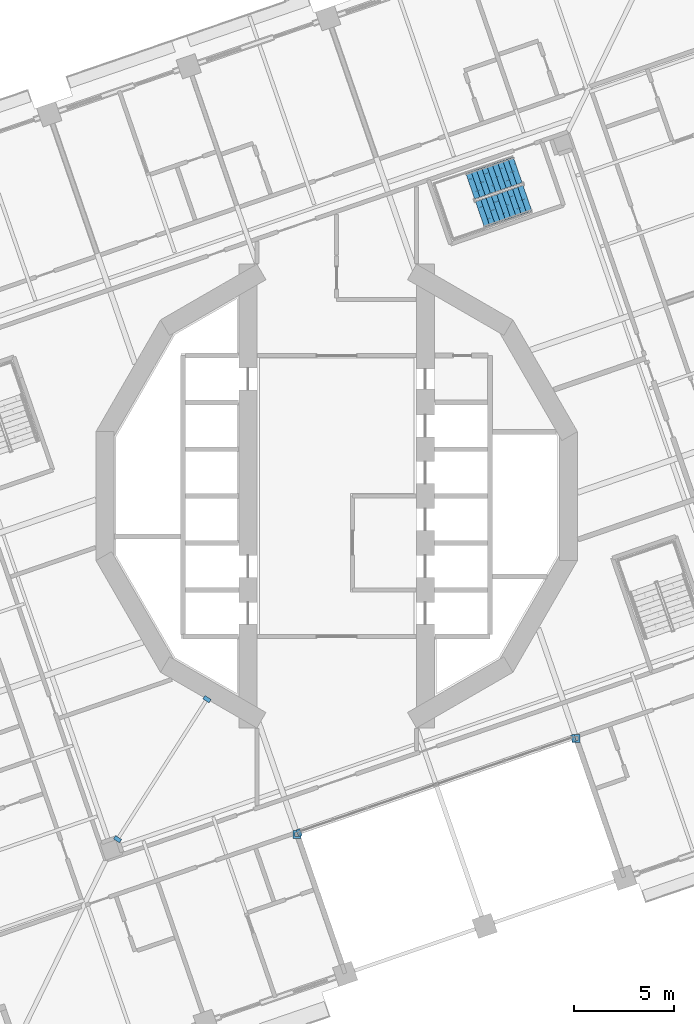
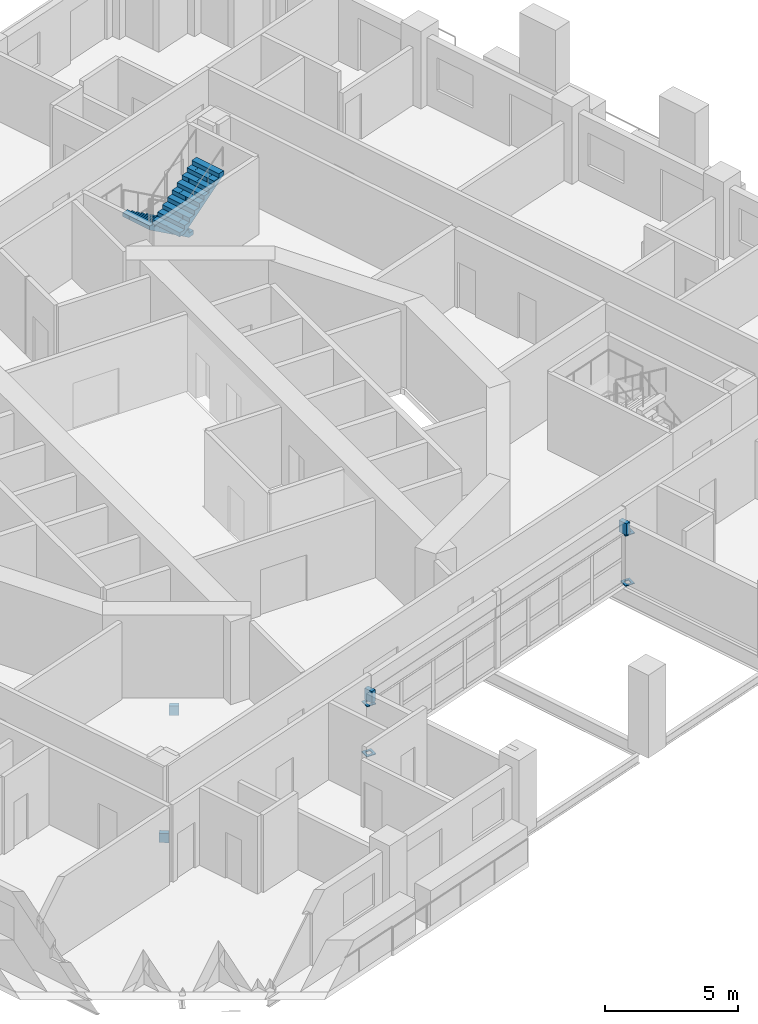
# One storey, part 15 of 22: 8 discrete accessories, 2 stair flights, 1 element without a shape of its own.
"""IFC4 building model written with IfcOpenShell, lengths in metres."""

from ifc_helpers import new_model, si_unit, direction, frame, origin, place, context, subcontext, project, spatial, polyline, outline, extrude, material, layer, layer_set, type_object, element, aggregate, save


model = new_model("IFC4")

# Units and contexts
model_context = context("Model", 3, precision=1e-05, world=origin(), true_north=direction((0.0, 1.0)))
body_context = subcontext(model_context, "Body", "Model", "MODEL_VIEW")
ifc_project = project(units=[si_unit("LENGTHUNIT", "METRE"), si_unit("AREAUNIT", "SQUARE_METRE"), si_unit("VOLUMEUNIT", "CUBIC_METRE"), si_unit("PLANEANGLEUNIT", "RADIAN"), si_unit("MASSUNIT", "GRAM", prefix="KILO")], contexts=[model_context])

# Site, building, storey
site_placement = place(None, origin())
site = spatial("IfcSite", under=ifc_project, at=site_placement, CompositionType="ELEMENT")
building_placement = place(site_placement, origin())
building = spatial("IfcBuilding", under=site, at=building_placement, Name="Cantera Rosa Tower", CompositionType="ELEMENT")
storey_placement = place(building_placement, frame((0.0, 0.0, 104.10009765625)))
storey = spatial("IfcBuildingStorey", under=building, at=storey_placement, Name="L20", CompositionType="ELEMENT", Elevation=104.10009765625)

# Stair, stair flights
ifc_material_1 = material(Name="Concrete C35/45", Category="concrete")
stair_type = type_object("IfcStairType", Name="EXIT STAIR 1350 DOGLEG", PredefinedType="HALF_TURN_STAIR", material=ifc_material_1)
stair_placement = place(storey_placement, origin())
stair = element("IfcStair", 1, at=stair_placement, inside=storey, type_object=stair_type, Name="L20 ST-21", PredefinedType="HALF_TURN_STAIR")
ifc_material_2 = material(Name="Concrete C35/45", Category="concrete")
stair_flight_type = type_object("IfcStairFlightType", Name="STAIR FLIGHT 1350 R20x190", PredefinedType="STRAIGHT", material=ifc_material_2)
stair_flight_1_placement = place(storey_placement, frame((9.07958984375, 16.364990234375, 0.0), z_axis=(0.0, 0.0, 1.0), x_axis=(-0.945518575599, -0.325568154457, 0.0)))
stair_flight_1 = element("IfcStairFlight", 2, at=stair_flight_1_placement, type_object=stair_flight_type, Name="ST-21 flight 1", NumberOfRisers=10, NumberOfTreads=9, PredefinedType="STRAIGHT", RiserHeight=0.19, TreadLength=0.28, context=body_context, shape_type="SweptSolid", body=[
    extrude(outline(polyline([(0.0, 0.0), (0.0, 0.18994140625), (0.280029296875, 0.18994140625), (0.280029296875, 0.3798828125), (0.56005859375, 0.3798828125), (0.56005859375, 0.570068359375), (0.840087890625, 0.570068359375), (0.840087890625, 0.760009765625), (1.1201171875, 0.760009765625), (1.1201171875, 0.949951171875), (1.39990234375, 0.949951171875), (1.39990234375, 1.139892578125), (1.679931640625, 1.139892578125), (1.679931640625, 1.330078125), (1.9599609375, 1.330078125), (1.9599609375, 1.52001953125), (2.239990234375, 1.52001953125), (2.239990234375, 1.7099609375), (2.52001953125, 1.7099609375), (2.52001953125, 1.89990234375), (2.52001953125, 1.52880859375), (0.266845703125, 0.0), (0.0, 0.0)])), frame((0.0, 0.675048828125, 0.0), z_axis=(0.0, -1.0, 0.0), x_axis=(1.0, 0.0, 0.0)), (0.0, 0.0, 1.0), 0.3359375),
    extrude(outline(polyline([(0.0, 0.0), (0.0, 0.18994140625), (0.280029296875, 0.18994140625), (0.280029296875, 0.3798828125), (0.56005859375, 0.3798828125), (0.56005859375, 0.570068359375), (0.840087890625, 0.570068359375), (0.840087890625, 0.760009765625), (1.1201171875, 0.760009765625), (1.1201171875, 0.949951171875), (1.39990234375, 0.949951171875), (1.39990234375, 1.139892578125), (1.679931640625, 1.139892578125), (1.679931640625, 1.330078125), (1.9599609375, 1.330078125), (1.9599609375, 1.52001953125), (2.239990234375, 1.52001953125), (2.239990234375, 1.7099609375), (2.52001953125, 1.7099609375), (2.52001953125, 1.89990234375), (2.52001953125, 1.52880859375), (0.266845703125, 0.0), (0.0, 0.0)])), frame((0.0, 0.337158203125, 0.0), z_axis=(0.0, -1.0, 0.0), x_axis=(1.0, 0.0, 0.0)), (0.0, 0.0, 1.0), 0.3359375),
    extrude(outline(polyline([(0.0, 0.0), (0.0, 0.18994140625), (0.280029296875, 0.18994140625), (0.280029296875, 0.3798828125), (0.56005859375, 0.3798828125), (0.56005859375, 0.570068359375), (0.840087890625, 0.570068359375), (0.840087890625, 0.760009765625), (1.1201171875, 0.760009765625), (1.1201171875, 0.949951171875), (1.39990234375, 0.949951171875), (1.39990234375, 1.139892578125), (1.679931640625, 1.139892578125), (1.679931640625, 1.330078125), (1.9599609375, 1.330078125), (1.9599609375, 1.52001953125), (2.239990234375, 1.52001953125), (2.239990234375, 1.7099609375), (2.52001953125, 1.7099609375), (2.52001953125, 1.89990234375), (2.52001953125, 1.52880859375), (0.266845703125, 0.0), (0.0, 0.0)])), frame((0.0, -0.000732421875, 0.0), z_axis=(0.0, -1.0, 0.0), x_axis=(1.0, 0.0, 0.0)), (0.0, 0.0, 1.0), 0.3359375),
    extrude(outline(polyline([(0.0, 0.0), (0.0, 0.18994140625), (0.280029296875, 0.18994140625), (0.280029296875, 0.3798828125), (0.56005859375, 0.3798828125), (0.56005859375, 0.570068359375), (0.840087890625, 0.570068359375), (0.840087890625, 0.760009765625), (1.1201171875, 0.760009765625), (1.1201171875, 0.949951171875), (1.39990234375, 0.949951171875), (1.39990234375, 1.139892578125), (1.679931640625, 1.139892578125), (1.679931640625, 1.330078125), (1.9599609375, 1.330078125), (1.9599609375, 1.52001953125), (2.239990234375, 1.52001953125), (2.239990234375, 1.7099609375), (2.52001953125, 1.7099609375), (2.52001953125, 1.89990234375), (2.52001953125, 1.52880859375), (0.266845703125, 0.0), (0.0, 0.0)])), frame((0.0, -0.338623046875, 0.0), z_axis=(0.0, -1.0, 0.0), x_axis=(1.0, 0.0, 0.0)), (0.0, 0.0, 1.0), 0.3359375),
])
stair_flight_2_placement = place(storey_placement, frame((7.185302734375, 14.126220703125, 1.89990234375), z_axis=(0.0, 0.0, 1.0), x_axis=(0.945518575599, 0.325568154457, 0.0)))
stair_flight_2 = element("IfcStairFlight", 3, at=stair_flight_2_placement, type_object=stair_flight_type, Name="ST-21 flight 2", NumberOfRisers=10, NumberOfTreads=9, PredefinedType="STRAIGHT", RiserHeight=0.19, TreadLength=0.28, context=body_context, shape_type="SweptSolid", body=[
    extrude(outline(polyline([(0.0, 0.0), (0.0, 0.18994140625), (0.280029296875, 0.18994140625), (0.280029296875, 0.3798828125), (0.56005859375, 0.3798828125), (0.56005859375, 0.570068359375), (0.840087890625, 0.570068359375), (0.840087890625, 0.760009765625), (1.1201171875, 0.760009765625), (1.1201171875, 0.949951171875), (1.39990234375, 0.949951171875), (1.39990234375, 1.139892578125), (1.679931640625, 1.139892578125), (1.679931640625, 1.330078125), (1.9599609375, 1.330078125), (1.9599609375, 1.52001953125), (2.239990234375, 1.52001953125), (2.239990234375, 1.7099609375), (2.52001953125, 1.7099609375), (2.52001953125, 1.89990234375), (2.52001953125, 1.52880859375), (0.266845703125, 0.0), (0.0, 0.0)])), frame((0.0, 0.675048828125, 0.0), z_axis=(0.0, -1.0, 0.0), x_axis=(1.0, 0.0, 0.0)), (0.0, 0.0, 1.0), 0.3359375),
    extrude(outline(polyline([(0.0, 0.0), (0.0, 0.18994140625), (0.280029296875, 0.18994140625), (0.280029296875, 0.3798828125), (0.56005859375, 0.3798828125), (0.56005859375, 0.570068359375), (0.840087890625, 0.570068359375), (0.840087890625, 0.760009765625), (1.1201171875, 0.760009765625), (1.1201171875, 0.949951171875), (1.39990234375, 0.949951171875), (1.39990234375, 1.139892578125), (1.679931640625, 1.139892578125), (1.679931640625, 1.330078125), (1.9599609375, 1.330078125), (1.9599609375, 1.52001953125), (2.239990234375, 1.52001953125), (2.239990234375, 1.7099609375), (2.52001953125, 1.7099609375), (2.52001953125, 1.89990234375), (2.52001953125, 1.52880859375), (0.266845703125, 0.0), (0.0, 0.0)])), frame((0.0, 0.337158203125, 0.0), z_axis=(0.0, -1.0, 0.0), x_axis=(1.0, 0.0, 0.0)), (0.0, 0.0, 1.0), 0.3359375),
    extrude(outline(polyline([(0.0, 0.0), (0.0, 0.18994140625), (0.280029296875, 0.18994140625), (0.280029296875, 0.3798828125), (0.56005859375, 0.3798828125), (0.56005859375, 0.570068359375), (0.840087890625, 0.570068359375), (0.840087890625, 0.760009765625), (1.1201171875, 0.760009765625), (1.1201171875, 0.949951171875), (1.39990234375, 0.949951171875), (1.39990234375, 1.139892578125), (1.679931640625, 1.139892578125), (1.679931640625, 1.330078125), (1.9599609375, 1.330078125), (1.9599609375, 1.52001953125), (2.239990234375, 1.52001953125), (2.239990234375, 1.7099609375), (2.52001953125, 1.7099609375), (2.52001953125, 1.89990234375), (2.52001953125, 1.52880859375), (0.266845703125, 0.0), (0.0, 0.0)])), frame((0.0, -0.000732421875, 0.0), z_axis=(0.0, -1.0, 0.0), x_axis=(1.0, 0.0, 0.0)), (0.0, 0.0, 1.0), 0.3359375),
    extrude(outline(polyline([(0.0, 0.0), (0.0, 0.18994140625), (0.280029296875, 0.18994140625), (0.280029296875, 0.3798828125), (0.56005859375, 0.3798828125), (0.56005859375, 0.570068359375), (0.840087890625, 0.570068359375), (0.840087890625, 0.760009765625), (1.1201171875, 0.760009765625), (1.1201171875, 0.949951171875), (1.39990234375, 0.949951171875), (1.39990234375, 1.139892578125), (1.679931640625, 1.139892578125), (1.679931640625, 1.330078125), (1.9599609375, 1.330078125), (1.9599609375, 1.52001953125), (2.239990234375, 1.52001953125), (2.239990234375, 1.7099609375), (2.52001953125, 1.7099609375), (2.52001953125, 1.89990234375), (2.52001953125, 1.52880859375), (0.266845703125, 0.0), (0.0, 0.0)])), frame((0.0, -0.338623046875, 0.0), z_axis=(0.0, -1.0, 0.0), x_axis=(1.0, 0.0, 0.0)), (0.0, 0.0, 1.0), 0.3359375),
])
aggregate(stair, [stair_flight_1, stair_flight_2])

# Discrete accessories
ifc_material_3 = material(Name="Steel ASTM A992 (Fy 345 MPa)", Category="steel")
ifc_layer = layer(ifc_material_3, 0.0400390625)
ifc_layer_set = layer_set([ifc_layer], Name="STEEL BEARING PLATE 40")
discrete_accessory_type = type_object("IfcDiscreteAccessoryType", Name="STEEL BEARING PLATE 40", PredefinedType="ANCHORPLATE", material=ifc_layer_set)
discrete_accessory_1_placement = place(storey_placement, frame((0.0, 0.0, -0.72802734375)))
element("IfcDiscreteAccessory", 4, at=discrete_accessory_1_placement, inside=storey, type_object=discrete_accessory_type, Name="BEARING PLATE PG-Z2-01 end 1 L20", PredefinedType="ANCHORPLATE", context=body_context, shape_type="SweptSolid", body=[
    extrude(outline(polyline([(-11.09619140625, -17.02783203125), (-11.203857421875, -17.1962890625), (-10.8955078125, -17.393310546875), (-10.787841796875, -17.224853515625), (-11.09619140625, -17.02783203125)])), origin(), (0.0, 0.0, 1.0), 0.427978515625),
])
discrete_accessory_2_placement = place(storey_placement, frame((0.0, 0.0, -0.72802734375)))
element("IfcDiscreteAccessory", 5, at=discrete_accessory_2_placement, inside=storey, type_object=discrete_accessory_type, Name="BEARING PLATE PG-Z2-01 end 2 L20", PredefinedType="ANCHORPLATE", context=body_context, shape_type="SweptSolid", body=[
    extrude(outline(polyline([(-6.40673828125, -10.367919921875), (-6.29931640625, -10.19921875), (-6.607666015625, -10.002197265625), (-6.71533203125, -10.170654296875), (-6.40673828125, -10.367919921875)])), origin(), (0.0, 0.0, 1.0), 0.427978515625),
])
discrete_accessory_3_placement = place(storey_placement, origin())
element("IfcDiscreteAccessory", 6, at=discrete_accessory_3_placement, inside=storey, type_object=discrete_accessory_type, Name="POST PLATE L20-1F", PredefinedType="ANCHORPLATE", context=body_context, shape_type="SweptSolid", body=[
    extrude(outline(polyline([(-2.18310546875, -17.170166015625), (-1.783203125, -17.170166015625), (-1.783203125, -16.770263671875), (-2.18310546875, -16.770263671875), (-2.18310546875, -17.170166015625)]), holes=[polyline([(-2.0830078125, -17.0703125), (-1.883056640625, -17.0703125), (-1.883056640625, -16.8701171875), (-2.0830078125, -16.8701171875), (-2.0830078125, -17.0703125)])]), origin(), (0.0, 0.0, 1.0), 0.039794921875),
])
discrete_accessory_4_placement = place(storey_placement, frame((0.0, 0.0, 2.2998046875)))
element("IfcDiscreteAccessory", 7, at=discrete_accessory_4_placement, inside=storey, type_object=discrete_accessory_type, Name="POST PLATE L20-1T", PredefinedType="ANCHORPLATE", context=body_context, shape_type="SweptSolid", body=[
    extrude(outline(polyline([(-2.18310546875, -17.170166015625), (-1.783203125, -17.170166015625), (-1.783203125, -16.770263671875), (-2.18310546875, -16.770263671875), (-2.18310546875, -17.170166015625)]), holes=[polyline([(-2.0830078125, -17.0703125), (-1.883056640625, -17.0703125), (-1.883056640625, -16.8701171875), (-2.0830078125, -16.8701171875), (-2.0830078125, -17.0703125)])]), origin(), (0.0, 0.0, 1.0), 0.0400390625),
])
discrete_accessory_5_placement = place(storey_placement, origin())
element("IfcDiscreteAccessory", 8, at=discrete_accessory_5_placement, inside=storey, type_object=discrete_accessory_type, Name="POST PLATE L20-2F", PredefinedType="ANCHORPLATE", context=body_context, shape_type="SweptSolid", body=[
    extrude(outline(polyline([(11.810546875, -12.351806640625), (12.210693359375, -12.351806640625), (12.210693359375, -11.951904296875), (11.810546875, -11.951904296875), (11.810546875, -12.351806640625)]), holes=[polyline([(11.91064453125, -12.251708984375), (12.110595703125, -12.251708984375), (12.110595703125, -12.0517578125), (11.91064453125, -12.0517578125), (11.91064453125, -12.251708984375)])]), origin(), (0.0, 0.0, 1.0), 0.039794921875),
])
discrete_accessory_6_placement = place(storey_placement, frame((0.0, 0.0, 2.2998046875)))
element("IfcDiscreteAccessory", 9, at=discrete_accessory_6_placement, inside=storey, type_object=discrete_accessory_type, Name="POST PLATE L20-2T", PredefinedType="ANCHORPLATE", context=body_context, shape_type="SweptSolid", body=[
    extrude(outline(polyline([(11.810546875, -12.351806640625), (12.210693359375, -12.351806640625), (12.210693359375, -11.951904296875), (11.810546875, -11.951904296875), (11.810546875, -12.351806640625)]), holes=[polyline([(11.91064453125, -12.251708984375), (12.110595703125, -12.251708984375), (12.110595703125, -12.0517578125), (11.91064453125, -12.0517578125), (11.91064453125, -12.251708984375)])]), origin(), (0.0, 0.0, 1.0), 0.0400390625),
])
discrete_accessory_7_placement = place(storey_placement, frame((0.0, 0.0, 2.33984375)))
element("IfcDiscreteAccessory", 10, at=discrete_accessory_7_placement, inside=storey, type_object=discrete_accessory_type, Name="LINTEL PLATE L20-1", PredefinedType="ANCHORPLATE", context=body_context, shape_type="SweptSolid", body=[
    extrude(outline(polyline([(-1.84619140625, -16.676513671875), (-2.035400390625, -16.74169921875), (-1.916015625, -17.087890625), (-1.72705078125, -17.022705078125), (-1.84619140625, -16.676513671875)])), origin(), (0.0, 0.0, 1.0), 0.528076171875),
])
discrete_accessory_8_placement = place(storey_placement, frame((0.0, 0.0, 2.33984375)))
element("IfcDiscreteAccessory", 11, at=discrete_accessory_8_placement, inside=storey, type_object=discrete_accessory_type, Name="LINTEL PLATE L20-2", PredefinedType="ANCHORPLATE", context=body_context, shape_type="SweptSolid", body=[
    extrude(outline(polyline([(11.841064453125, -12.350830078125), (12.0302734375, -12.28564453125), (11.9111328125, -11.939697265625), (11.721923828125, -12.004638671875), (11.841064453125, -12.350830078125)])), origin(), (0.0, 0.0, 1.0), 0.528076171875),
])

save(model, "model.ifc")
